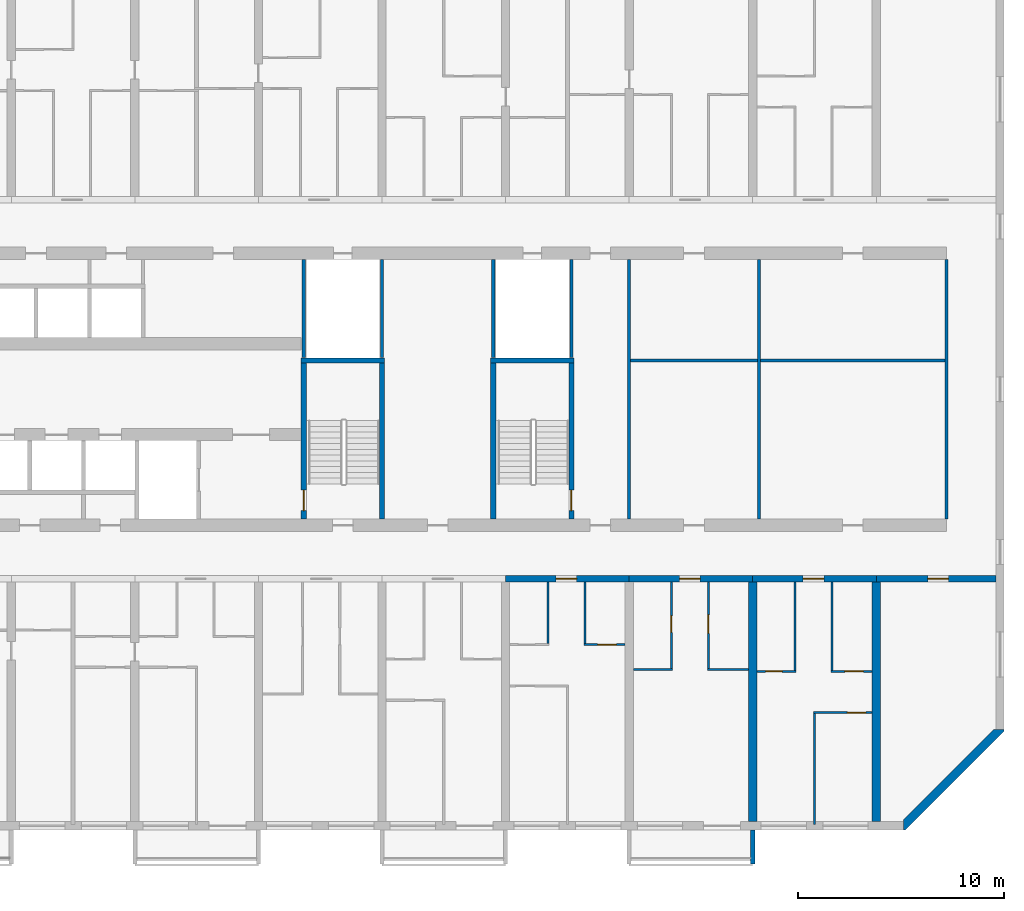
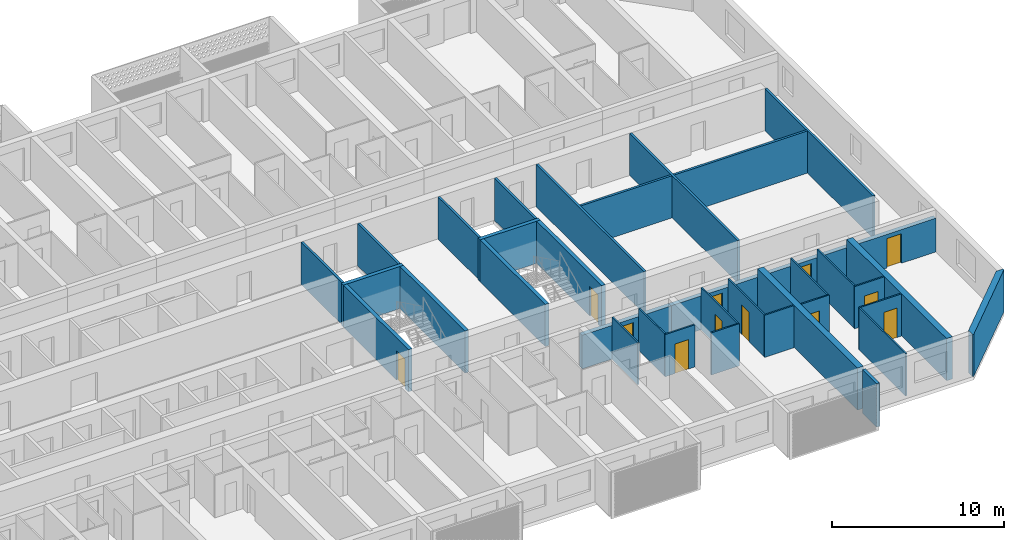
# One storey, part 15 of 38: 35 walls, 12 doors, 12 openings.
"""IFC4 building model written with IfcOpenShell, lengths in metres."""

from ifc_helpers import new_model, si_unit, direction, frame, frame_2d, origin, place, context, subcontext, project, spatial, polyline, rectangle, outline, extrude, source, transform, mapped, material, layer, layer_set, type_object, element, fill, save


model = new_model("IFC4")

# Units and contexts
model_context = context("Model", 3, precision=1e-05, world=origin(), true_north=direction((0.0, 1.0)))
body_context = subcontext(model_context, "Body", "Model", "MODEL_VIEW")
ifc_project = project(units=[si_unit("LENGTHUNIT", "METRE"), si_unit("AREAUNIT", "SQUARE_METRE"), si_unit("VOLUMEUNIT", "CUBIC_METRE"), si_unit("PLANEANGLEUNIT", "RADIAN"), si_unit("MASSUNIT", "GRAM", prefix="KILO")], contexts=[model_context])

# Site, building, storey
site_placement = place(None, origin())
site = spatial("IfcSite", under=ifc_project, at=site_placement, CompositionType="ELEMENT")
building_placement = place(site_placement, origin())
building = spatial("IfcBuilding", under=site, at=building_placement, Name="Poui Terraces", CompositionType="ELEMENT")
storey_placement = place(building_placement, frame((0.0, 0.0, 49.800048828125)))
storey = spatial("IfcBuildingStorey", under=building, at=storey_placement, Name="L13", CompositionType="ELEMENT", Elevation=49.800048828125)

# Walls
ifc_material_1 = material(Name="Fire-rated plasterboard wall")
ifc_layer_1 = layer(ifc_material_1, 0.14990234375)
ifc_layer_set_1 = layer_set([ifc_layer_1], Name="Fire-rated plasterboard wall")
wall_type_1 = type_object("IfcWallType", Name="CORRIDOR WALL 150", PredefinedType="PARTITIONING", material=ifc_layer_set_1)
for number, where, z_axis, x_axis, name in (
    (1, (84.0, 14.909912109375, 0.0), (0.0, 0.0, 1.0), (0.0, 1.0, 0.0), "CORRIDOR WALL 150"),
    (2, (99.39990234375, 14.909912109375, 0.0), (0.0, 0.0, 1.0), (0.0, 1.0, 0.0), "CORRIDOR WALL 150"),
):
    element("IfcWall", number, at=place(storey_placement, frame(where, z_axis=z_axis, x_axis=x_axis)), inside=storey, type_object=wall_type_1, Name=name, PredefinedType="PARTITIONING", context=body_context, shape_type="SweptSolid", body=[
        extrude(rectangle(XDim=12.580078125, YDim=0.14990234375, at=frame_2d((6.2900390625, 0.0))), origin(), (0.0, 0.0, 1.0), 3.0),
    ])

# Wall, opening, door
ifc_material_2 = material(Name="Concrete 80 MPa", Category="concrete")
ifc_layer_2 = layer(ifc_material_2, 0.300048828125)
ifc_layer_set_2 = layer_set([ifc_layer_2], Name="Concrete 80 MPa")
wall_type_2 = type_object("IfcWallType", Name="CORRIDOR WALL 300 80MPa", PredefinedType="SHEAR", material=ifc_layer_set_2)
wall_1_placement = place(storey_placement, frame((78.0, 12.0, 0.0), z_axis=(0.0, 0.0, 1.0), x_axis=(1.0, 0.0, 0.0)))
wall_1 = element("IfcWall", 3, at=wall_1_placement, inside=storey, type_object=wall_type_2, Name="CORRIDOR WALL LINE B BAY 14", PredefinedType="SHEAR", context=body_context, shape_type="SweptSolid", body=[
    extrude(rectangle(XDim=6.0, YDim=0.300048828125, at=frame_2d((3.0, 0.0))), origin(), (0.0, 0.0, 1.0), 2.39990234375),
])
opening_1_placement = place(wall_1_placement, frame((2.449951171875, 0.0, 0.0)))
opening_1 = element("IfcOpeningElement", 4, at=opening_1_placement, cuts=wall_1, Name="Opening FD30S", PredefinedType="OPENING", context=body_context, shape_type="SweptSolid", body=[
    extrude(rectangle(XDim=1.0, YDim=2.10009765625, at=frame_2d((0.5, 1.050048828125))), frame((0.0, 0.16015625, 0.0), z_axis=(0.0, -1.0, 0.0), x_axis=(1.0, 0.0, 0.0)), (0.0, 0.0, 1.0), 0.320068359375),
])
ifc_material_3 = material(Name="Steel fire door", Category="steel")
door_type_1 = type_object("IfcDoorType", Name="FLAT ENTRANCE DOOR 1000 X 2100", OperationType="NOTDEFINED", PredefinedType="DOOR", material=ifc_material_3)
door_1_placement = place(opening_1_placement, frame((1.0, 0.0, 0.0), z_axis=(0.0, 0.0, 1.0), x_axis=(-1.0, 0.0, 0.0)))
door_1 = element("IfcDoor", 5, at=door_1_placement, inside=storey, type_object=door_type_1, Name="FLAT ENTRANCE DOOR 138", OperationType="SINGLE_SWING_RIGHT", OverallHeight=2.10009765625, OverallWidth=1.0, PredefinedType="DOOR", context=body_context, shape_type="SweptSolid", body=[
    extrude(rectangle(XDim=1.0, YDim=2.10009765625, at=frame_2d((0.5, 1.050048828125))), frame((0.0, 0.02490234375, 0.0), z_axis=(0.0, -1.0, 0.0), x_axis=(1.0, 0.0, 0.0)), (0.0, 0.0, 1.0), 0.050048828125),
])
fill(opening_1, door_1)

wall_2_placement = place(storey_placement, frame((84.0, 12.0, 0.0), z_axis=(0.0, 0.0, 1.0), x_axis=(1.0, 0.0, 0.0)))
wall_2 = element("IfcWall", 6, at=wall_2_placement, inside=storey, type_object=wall_type_2, Name="CORRIDOR WALL LINE B BAY 15", PredefinedType="SHEAR", context=body_context, shape_type="SweptSolid", body=[
    extrude(rectangle(XDim=6.0, YDim=0.300048828125, at=frame_2d((3.0, 0.0))), origin(), (0.0, 0.0, 1.0), 2.39990234375),
])
opening_2_placement = place(wall_2_placement, frame((2.449951171875, 0.0, 0.0)))
opening_2 = element("IfcOpeningElement", 7, at=opening_2_placement, cuts=wall_2, Name="Opening FD30S", PredefinedType="OPENING", context=body_context, shape_type="SweptSolid", body=[
    extrude(rectangle(XDim=1.0, YDim=2.10009765625, at=frame_2d((0.5, 1.050048828125))), frame((0.0, 0.16015625, 0.0), z_axis=(0.0, -1.0, 0.0), x_axis=(1.0, 0.0, 0.0)), (0.0, 0.0, 1.0), 0.320068359375),
])
door_2_placement = place(opening_2_placement, frame((1.0, 0.0, 0.0), z_axis=(0.0, 0.0, 1.0), x_axis=(-1.0, 0.0, 0.0)))
door_2 = element("IfcDoor", 8, at=door_2_placement, inside=storey, type_object=door_type_1, Name="FLAT ENTRANCE DOOR 141", OperationType="SINGLE_SWING_RIGHT", OverallHeight=2.10009765625, OverallWidth=1.0, PredefinedType="DOOR", context=body_context, shape_type="SweptSolid", body=[
    extrude(rectangle(XDim=1.0, YDim=2.10009765625, at=frame_2d((0.5, 1.050048828125))), frame((0.0, 0.02490234375, 0.0), z_axis=(0.0, -1.0, 0.0), x_axis=(1.0, 0.0, 0.0)), (0.0, 0.0, 1.0), 0.050048828125),
])
fill(opening_2, door_2)

wall_3_placement = place(storey_placement, frame((90.0, 12.0, 0.0), z_axis=(0.0, 0.0, 1.0), x_axis=(1.0, 0.0, 0.0)))
wall_3 = element("IfcWall", 9, at=wall_3_placement, inside=storey, type_object=wall_type_2, Name="CORRIDOR WALL LINE B BAY 16", PredefinedType="SHEAR", context=body_context, shape_type="SweptSolid", body=[
    extrude(rectangle(XDim=6.0, YDim=0.300048828125, at=frame_2d((3.0, 0.0))), origin(), (0.0, 0.0, 1.0), 2.39990234375),
])
opening_3_placement = place(wall_3_placement, frame((2.449951171875, 0.0, 0.0)))
opening_3 = element("IfcOpeningElement", 10, at=opening_3_placement, cuts=wall_3, Name="Opening FD30S", PredefinedType="OPENING", context=body_context, shape_type="SweptSolid", body=[
    extrude(rectangle(XDim=1.0, YDim=2.10009765625, at=frame_2d((0.5, 1.050048828125))), frame((0.0, 0.16015625, 0.0), z_axis=(0.0, -1.0, 0.0), x_axis=(1.0, 0.0, 0.0)), (0.0, 0.0, 1.0), 0.320068359375),
])
door_3_placement = place(opening_3_placement, frame((1.0, 0.0, 0.0), z_axis=(0.0, 0.0, 1.0), x_axis=(-1.0, 0.0, 0.0)))
door_3 = element("IfcDoor", 11, at=door_3_placement, inside=storey, type_object=door_type_1, Name="FLAT ENTRANCE DOOR 144", OperationType="SINGLE_SWING_RIGHT", OverallHeight=2.10009765625, OverallWidth=1.0, PredefinedType="DOOR", context=body_context, shape_type="SweptSolid", body=[
    extrude(rectangle(XDim=1.0, YDim=2.10009765625, at=frame_2d((0.5, 1.050048828125))), frame((0.0, 0.02490234375, 0.0), z_axis=(0.0, -1.0, 0.0), x_axis=(1.0, 0.0, 0.0)), (0.0, 0.0, 1.0), 0.050048828125),
])
fill(opening_3, door_3)

wall_4_placement = place(storey_placement, frame((96.0, 12.0, 0.0), z_axis=(0.0, 0.0, 1.0), x_axis=(1.0, 0.0, 0.0)))
wall_4 = element("IfcWall", 12, at=wall_4_placement, inside=storey, type_object=wall_type_2, Name="CORRIDOR WALL LINE B BAY 17", PredefinedType="SHEAR", context=body_context, shape_type="SweptSolid", body=[
    extrude(rectangle(XDim=5.800048828125, YDim=0.300048828125, at=frame_2d((2.89990234375, 0.0))), origin(), (0.0, 0.0, 1.0), 2.39990234375),
])
opening_4_placement = place(wall_4_placement, frame((2.5, 0.0, 0.0)))
opening_4 = element("IfcOpeningElement", 13, at=opening_4_placement, cuts=wall_4, Name="Opening D100", PredefinedType="OPENING", context=body_context, shape_type="SweptSolid", body=[
    extrude(rectangle(XDim=1.0, YDim=2.10009765625, at=frame_2d((0.5, 1.050048828125))), frame((0.0, 0.16015625, 0.0), z_axis=(0.0, -1.0, 0.0), x_axis=(1.0, 0.0, 0.0)), (0.0, 0.0, 1.0), 0.320068359375),
])
ifc_material_4 = material(Name="Solid core timber door", Category="wood")
door_type_2 = type_object("IfcDoorType", Name="ACCESSIBLE INTERNAL DOOR 1000 X 2100", OperationType="NOTDEFINED", PredefinedType="DOOR", material=ifc_material_4)
door_4_placement = place(opening_4_placement, frame((1.0, 0.0, 0.0), z_axis=(0.0, 0.0, 1.0), x_axis=(-1.0, 0.0, 0.0)))
door_4 = element("IfcDoor", 14, at=door_4_placement, inside=storey, type_object=door_type_2, Name="ACCESSIBLE INTERNAL DOOR 147", OperationType="SINGLE_SWING_RIGHT", OverallHeight=2.10009765625, OverallWidth=1.0, PredefinedType="DOOR", context=body_context, shape_type="SweptSolid", body=[
    extrude(rectangle(XDim=1.0, YDim=2.10009765625, at=frame_2d((0.5, 1.050048828125))), frame((0.0, 0.02490234375, 0.0), z_axis=(0.0, -1.0, 0.0), x_axis=(1.0, 0.0, 0.0)), (0.0, 0.0, 1.0), 0.050048828125),
])
fill(opening_4, door_4)

# Walls
ifc_layer_3 = layer(ifc_material_2, 0.39990234375)
ifc_layer_set_3 = layer_set([ifc_layer_3], Name="Concrete 80 MPa")
wall_type_3 = type_object("IfcWallType", Name="CROSS WALL 400 80MPa", PredefinedType="SHEAR", material=ifc_layer_set_3)
for number, where, z_axis, x_axis, name in (
    (15, (90.0, 0.199951171875, 0.0), (0.0, 0.0, 1.0), (0.0, 1.0, 0.0), "CROSS WALL LINE 16 SOUTH"),
    (16, (96.0, 0.199951171875, 0.0), (0.0, 0.0, 1.0), (0.0, 1.0, 0.0), "CROSS WALL LINE 17 SOUTH"),
):
    element("IfcWall", number, at=place(storey_placement, frame(where, z_axis=z_axis, x_axis=x_axis)), inside=storey, type_object=wall_type_3, Name=name, PredefinedType="SHEAR", context=body_context, shape_type="SweptSolid", body=[
        extrude(rectangle(XDim=11.650146484375, YDim=0.39990234375, at=frame_2d((5.8251953125, 0.0))), origin(), (0.0, 0.0, 1.0), 3.0),
    ])

# Wall, opening, door
ifc_material_5 = material(Name="Plasterboard partition")
ifc_layer_4 = layer(ifc_material_5, 0.10009765625)
ifc_layer_set_4 = layer_set([ifc_layer_4], Name="Plasterboard partition")
wall_type_4 = type_object("IfcWallType", Name="FLAT PARTITION 100", PredefinedType="PARTITIONING", material=ifc_layer_set_4)
wall_5_placement = place(storey_placement, frame((92.949951171875, 5.5, 0.0), z_axis=(0.0, 0.0, 1.0), x_axis=(1.0, 0.0, 0.0)))
wall_5 = element("IfcWall", 17, at=wall_5_placement, inside=storey, type_object=wall_type_4, Name="FLAT PARTITION 100", PredefinedType="PARTITIONING", context=body_context, shape_type="SweptSolid", body=[
    extrude(rectangle(XDim=2.840087890625, YDim=0.10009765625, at=frame_2d((1.419921875, 0.0))), origin(), (0.0, 0.0, 1.0), 3.0),
])
opening_5_placement = place(wall_5_placement, frame((1.64990234375, 0.0, 0.0)))
opening_5 = element("IfcOpeningElement", 18, at=opening_5_placement, cuts=wall_5, Name="Opening D90", PredefinedType="OPENING", context=body_context, shape_type="SweptSolid", body=[
    extrude(rectangle(XDim=0.89990234375, YDim=2.10009765625, at=frame_2d((0.449951171875, 1.050048828125))), frame((0.0, 0.06005859375, 0.0), z_axis=(0.0, -1.0, 0.0), x_axis=(1.0, 0.0, 0.0)), (0.0, 0.0, 1.0), 0.1201171875),
])
door_type_3 = type_object("IfcDoorType", Name="INTERNAL DOOR 900 X 2100", OperationType="NOTDEFINED", PredefinedType="DOOR", material=ifc_material_4)
door_5_placement = place(opening_5_placement, frame((0.89990234375, 0.0, 0.0), z_axis=(0.0, 0.0, 1.0), x_axis=(-1.0, 0.0, 0.0)))
door_5 = element("IfcDoor", 19, at=door_5_placement, inside=storey, type_object=door_type_3, Name="INTERNAL DOOR 146", OperationType="SINGLE_SWING_LEFT", OverallHeight=2.10009765625, OverallWidth=0.89990234375, PredefinedType="DOOR", context=body_context, shape_type="SweptSolid", body=[
    extrude(rectangle(XDim=0.89990234375, YDim=2.10009765625, at=frame_2d((0.449951171875, 1.050048828125))), frame((0.0, 0.02490234375, 0.0), z_axis=(0.0, -1.0, 0.0), x_axis=(1.0, 0.0, 0.0)), (0.0, 0.0, 1.0), 0.050048828125),
])
fill(opening_5, door_5)

wall_6_placement = place(storey_placement, frame((90.2099609375, 7.5, 0.0), z_axis=(0.0, 0.0, 1.0), x_axis=(1.0, 0.0, 0.0)))
wall_6 = element("IfcWall", 20, at=wall_6_placement, inside=storey, type_object=wall_type_4, Name="FLAT PARTITION 100", PredefinedType="PARTITIONING", context=body_context, shape_type="SweptSolid", body=[
    extrude(rectangle(XDim=1.89013671875, YDim=0.10009765625, at=frame_2d((0.945068359375, 0.0))), origin(), (0.0, 0.0, 1.0), 3.0),
])
opening_6_placement = place(wall_6_placement, frame((0.4150390625, 0.0, 0.0)))
opening_6 = element("IfcOpeningElement", 21, at=opening_6_placement, cuts=wall_6, Name="Opening D80", PredefinedType="OPENING", context=body_context, shape_type="SweptSolid", body=[
    extrude(rectangle(XDim=0.800048828125, YDim=2.10009765625, at=frame_2d((0.39990234375, 1.050048828125))), frame((0.0, 0.06005859375, 0.0), z_axis=(0.0, -1.0, 0.0), x_axis=(1.0, 0.0, 0.0)), (0.0, 0.0, 1.0), 0.1201171875),
])
door_type_4 = type_object("IfcDoorType", Name="BATHROOM, LAUNDRY AND STORE DOOR 800 X 2100", OperationType="NOTDEFINED", PredefinedType="DOOR", material=ifc_material_4)
door_6_placement = place(opening_6_placement, origin())
door_6 = element("IfcDoor", 22, at=door_6_placement, inside=storey, type_object=door_type_4, Name="BATHROOM, LAUNDRY AND STORE DOOR 143", OperationType="SINGLE_SWING_LEFT", OverallHeight=2.10009765625, OverallWidth=0.800048828125, PredefinedType="DOOR", context=body_context, shape_type="SweptSolid", body=[
    extrude(rectangle(XDim=0.800048828125, YDim=2.10009765625, at=frame_2d((0.39990234375, 1.050048828125))), frame((0.0, 0.02490234375, 0.0), z_axis=(0.0, -1.0, 0.0), x_axis=(1.0, 0.0, 0.0)), (0.0, 0.0, 1.0), 0.050048828125),
])
fill(opening_6, door_6)

wall_7_placement = place(storey_placement, frame((93.800048828125, 7.5, 0.0), z_axis=(0.0, 0.0, 1.0), x_axis=(1.0, 0.0, 0.0)))
wall_7 = element("IfcWall", 23, at=wall_7_placement, inside=storey, type_object=wall_type_4, Name="FLAT PARTITION 100", PredefinedType="PARTITIONING", context=body_context, shape_type="SweptSolid", body=[
    extrude(rectangle(XDim=1.989990234375, YDim=0.10009765625, at=frame_2d((0.9951171875, 0.0))), origin(), (0.0, 0.0, 1.0), 3.0),
])
opening_7_placement = place(wall_7_placement, frame((0.675048828125, 0.0, 0.0)))
opening_7 = element("IfcOpeningElement", 24, at=opening_7_placement, cuts=wall_7, Name="Opening D90", PredefinedType="OPENING", context=body_context, shape_type="SweptSolid", body=[
    extrude(rectangle(XDim=0.89990234375, YDim=2.10009765625, at=frame_2d((0.449951171875, 1.050048828125))), frame((0.0, 0.06005859375, 0.0), z_axis=(0.0, -1.0, 0.0), x_axis=(1.0, 0.0, 0.0)), (0.0, 0.0, 1.0), 0.1201171875),
])
door_7_placement = place(opening_7_placement, origin())
door_7 = element("IfcDoor", 25, at=door_7_placement, inside=storey, type_object=door_type_3, Name="INTERNAL DOOR 145", OperationType="SINGLE_SWING_RIGHT", OverallHeight=2.10009765625, OverallWidth=0.89990234375, PredefinedType="DOOR", context=body_context, shape_type="SweptSolid", body=[
    extrude(rectangle(XDim=0.89990234375, YDim=2.10009765625, at=frame_2d((0.449951171875, 1.050048828125))), frame((0.0, 0.02490234375, 0.0), z_axis=(0.0, -1.0, 0.0), x_axis=(1.0, 0.0, 0.0)), (0.0, 0.0, 1.0), 0.050048828125),
])
fill(opening_7, door_7)

# Walls
wall_8_placement = place(storey_placement, frame((84.2099609375, 7.60009765625, 0.0), z_axis=(0.0, 0.0, 1.0), x_axis=(1.0, 0.0, 0.0)))
element("IfcWall", 26, at=wall_8_placement, inside=storey, type_object=wall_type_4, Name="FLAT PARTITION 100", PredefinedType="PARTITIONING", context=body_context, shape_type="SweptSolid", body=[
    extrude(rectangle(XDim=1.89013671875, YDim=0.10009765625, at=frame_2d((0.945068359375, 0.0))), origin(), (0.0, 0.0, 1.0), 3.0),
])
wall_9_placement = place(storey_placement, frame((87.800048828125, 7.60009765625, 0.0), z_axis=(0.0, 0.0, 1.0), x_axis=(1.0, 0.0, 0.0)))
element("IfcWall", 27, at=wall_9_placement, inside=storey, type_object=wall_type_4, Name="FLAT PARTITION 100", PredefinedType="PARTITIONING", context=body_context, shape_type="SweptSolid", body=[
    extrude(rectangle(XDim=1.989990234375, YDim=0.10009765625, at=frame_2d((0.9951171875, 0.0))), origin(), (0.0, 0.0, 1.0), 3.0),
])

# Wall, opening, door
wall_10_placement = place(storey_placement, frame((81.800048828125, 8.800048828125, 0.0), z_axis=(0.0, 0.0, 1.0), x_axis=(1.0, 0.0, 0.0)))
wall_10 = element("IfcWall", 28, at=wall_10_placement, inside=storey, type_object=wall_type_4, Name="FLAT PARTITION 100", PredefinedType="PARTITIONING", context=body_context, shape_type="SweptSolid", body=[
    extrude(rectangle(XDim=1.989990234375, YDim=0.10009765625, at=frame_2d((0.9951171875, 0.0))), origin(), (0.0, 0.0, 1.0), 3.0),
])
opening_8_placement = place(wall_10_placement, frame((0.675048828125, 0.0, 0.0)))
opening_8 = element("IfcOpeningElement", 29, at=opening_8_placement, cuts=wall_10, Name="Opening D90", PredefinedType="OPENING", context=body_context, shape_type="SweptSolid", body=[
    extrude(rectangle(XDim=0.89990234375, YDim=2.10009765625, at=frame_2d((0.449951171875, 1.050048828125))), frame((0.0, 0.06005859375, 0.0), z_axis=(0.0, -1.0, 0.0), x_axis=(1.0, 0.0, 0.0)), (0.0, 0.0, 1.0), 0.1201171875),
])
door_8_placement = place(opening_8_placement, origin())
door_8 = element("IfcDoor", 30, at=door_8_placement, inside=storey, type_object=door_type_3, Name="INTERNAL DOOR 139", OperationType="SINGLE_SWING_RIGHT", OverallHeight=2.10009765625, OverallWidth=0.89990234375, PredefinedType="DOOR", context=body_context, shape_type="SweptSolid", body=[
    extrude(rectangle(XDim=0.89990234375, YDim=2.10009765625, at=frame_2d((0.449951171875, 1.050048828125))), frame((0.0, 0.02490234375, 0.0), z_axis=(0.0, -1.0, 0.0), x_axis=(1.0, 0.0, 0.0)), (0.0, 0.0, 1.0), 0.050048828125),
])
fill(opening_8, door_8)

# Walls
for number, where, z_axis, x_axis, name in (
    (31, (80.050048828125, 8.85009765625, 0.0), (0.0, 0.0, 1.0), (0.0, 1.0, 0.0), "FLAT PARTITION 100"),
    (32, (81.85009765625, 8.85009765625, 0.0), (0.0, 0.0, 1.0), (0.0, 1.0, 0.0), "FLAT PARTITION 100"),
):
    element("IfcWall", number, at=place(storey_placement, frame(where, z_axis=z_axis, x_axis=x_axis)), inside=storey, type_object=wall_type_4, Name=name, PredefinedType="PARTITIONING", context=body_context, shape_type="SweptSolid", body=[
        extrude(rectangle(XDim=2.989990234375, YDim=0.10009765625, at=frame_2d((1.4951171875, 0.0))), origin(), (0.0, 0.0, 1.0), 3.0),
    ])

# Wall, opening, door
wall_11_placement = place(storey_placement, frame((86.050048828125, 7.64990234375, 0.0), z_axis=(0.0, 0.0, 1.0), x_axis=(0.0, 1.0, 0.0)))
wall_11 = element("IfcWall", 33, at=wall_11_placement, inside=storey, type_object=wall_type_4, Name="FLAT PARTITION 100", PredefinedType="PARTITIONING", context=body_context, shape_type="SweptSolid", body=[
    extrude(rectangle(XDim=4.190185546875, YDim=0.10009765625, at=frame_2d((2.09521484375, 0.0))), origin(), (0.0, 0.0, 1.0), 3.0),
])
opening_9_placement = place(wall_11_placement, frame((1.75, 0.0, 0.0)))
opening_9 = element("IfcOpeningElement", 34, at=opening_9_placement, cuts=wall_11, Name="Opening D80", PredefinedType="OPENING", context=body_context, shape_type="SweptSolid", body=[
    extrude(rectangle(XDim=0.800048828125, YDim=2.10009765625, at=frame_2d((0.39990234375, 1.050048828125))), frame((0.0, 0.06005859375, 0.0), z_axis=(0.0, -1.0, 0.0), x_axis=(1.0, 0.0, 0.0)), (0.0, 0.0, 1.0), 0.1201171875),
])
door_9_placement = place(opening_9_placement, origin())
door_9 = element("IfcDoor", 35, at=door_9_placement, inside=storey, type_object=door_type_4, Name="BATHROOM, LAUNDRY AND STORE DOOR 140", OperationType="SINGLE_SWING_LEFT", OverallHeight=2.10009765625, OverallWidth=0.800048828125, PredefinedType="DOOR", context=body_context, shape_type="SweptSolid", body=[
    extrude(rectangle(XDim=0.800048828125, YDim=2.10009765625, at=frame_2d((0.39990234375, 1.050048828125))), frame((0.0, 0.02490234375, 0.0), z_axis=(0.0, -1.0, 0.0), x_axis=(1.0, 0.0, 0.0)), (0.0, 0.0, 1.0), 0.050048828125),
])
fill(opening_9, door_9)

wall_12_placement = place(storey_placement, frame((87.85009765625, 7.64990234375, 0.0), z_axis=(0.0, 0.0, 1.0), x_axis=(0.0, 1.0, 0.0)))
wall_12 = element("IfcWall", 36, at=wall_12_placement, inside=storey, type_object=wall_type_4, Name="FLAT PARTITION 100", PredefinedType="PARTITIONING", context=body_context, shape_type="SweptSolid", body=[
    extrude(rectangle(XDim=4.190185546875, YDim=0.10009765625, at=frame_2d((2.09521484375, 0.0))), origin(), (0.0, 0.0, 1.0), 3.0),
])
opening_10_placement = place(wall_12_placement, frame((1.699951171875, 0.0, 0.0)))
opening_10 = element("IfcOpeningElement", 37, at=opening_10_placement, cuts=wall_12, Name="Opening D90", PredefinedType="OPENING", context=body_context, shape_type="SweptSolid", body=[
    extrude(rectangle(XDim=0.89990234375, YDim=2.10009765625, at=frame_2d((0.449951171875, 1.050048828125))), frame((0.0, 0.06005859375, 0.0), z_axis=(0.0, -1.0, 0.0), x_axis=(1.0, 0.0, 0.0)), (0.0, 0.0, 1.0), 0.1201171875),
])
door_10_placement = place(opening_10_placement, frame((0.89990234375, 0.0, 0.0), z_axis=(0.0, 0.0, 1.0), x_axis=(-1.0, 0.0, 0.0)))
door_10 = element("IfcDoor", 38, at=door_10_placement, inside=storey, type_object=door_type_3, Name="INTERNAL DOOR 142", OperationType="SINGLE_SWING_LEFT", OverallHeight=2.10009765625, OverallWidth=0.89990234375, PredefinedType="DOOR", context=body_context, shape_type="SweptSolid", body=[
    extrude(rectangle(XDim=0.89990234375, YDim=2.10009765625, at=frame_2d((0.449951171875, 1.050048828125))), frame((0.0, 0.02490234375, 0.0), z_axis=(0.0, -1.0, 0.0), x_axis=(1.0, 0.0, 0.0)), (0.0, 0.0, 1.0), 0.050048828125),
])
fill(opening_10, door_10)

# Walls
wall_13_placement = place(storey_placement, frame((92.050048828125, 7.550048828125, 0.0), z_axis=(0.0, 0.0, 1.0), x_axis=(0.0, 1.0, 0.0)))
element("IfcWall", 39, at=wall_13_placement, inside=storey, type_object=wall_type_4, Name="FLAT PARTITION 100", PredefinedType="PARTITIONING", context=body_context, shape_type="SweptSolid", body=[
    extrude(rectangle(XDim=4.2900390625, YDim=0.10009765625, at=frame_2d((2.14501953125, 0.0))), origin(), (0.0, 0.0, 1.0), 3.0),
])
wall_14_placement = place(storey_placement, frame((93.0, 0.06005859375, 0.0), z_axis=(0.0, 0.0, 1.0), x_axis=(0.0, 1.0, 0.0)))
element("IfcWall", 40, at=wall_14_placement, inside=storey, type_object=wall_type_4, Name="FLAT PARTITION 100", PredefinedType="PARTITIONING", context=body_context, shape_type="SweptSolid", body=[
    extrude(rectangle(XDim=5.389892578125, YDim=0.10009765625, at=frame_2d((2.69482421875, 0.0))), origin(), (0.0, 0.0, 1.0), 3.0),
])
wall_15_placement = place(storey_placement, frame((93.85009765625, 7.550048828125, 0.0), z_axis=(0.0, 0.0, 1.0), x_axis=(0.0, 1.0, 0.0)))
element("IfcWall", 41, at=wall_15_placement, inside=storey, type_object=wall_type_4, Name="FLAT PARTITION 100", PredefinedType="PARTITIONING", context=body_context, shape_type="SweptSolid", body=[
    extrude(rectangle(XDim=4.2900390625, YDim=0.10009765625, at=frame_2d((2.14501953125, 0.0))), origin(), (0.0, 0.0, 1.0), 3.0),
])
ifc_layer_5 = layer(ifc_material_5, 0.14990234375)
ifc_layer_set_5 = layer_set([ifc_layer_5], Name="Plasterboard partition")
wall_type_5 = type_object("IfcWallType", Name="PARTITION WALL 150", PredefinedType="PARTITIONING", material=ifc_layer_set_5)
wall_16_placement = place(storey_placement, frame((84.074951171875, 22.60009765625, 0.0), z_axis=(0.0, 0.0, 1.0), x_axis=(1.0, 0.0, 0.0)))
element("IfcWall", 42, at=wall_16_placement, inside=storey, type_object=wall_type_5, Name="PARTITION WALL 150", PredefinedType="PARTITIONING", context=body_context, shape_type="SweptSolid", body=[
    extrude(rectangle(XDim=15.25, YDim=0.14990234375, at=frame_2d((7.625, 0.0))), origin(), (0.0, 0.0, 1.0), 3.0),
])
wall_17_placement = place(storey_placement, frame((90.300048828125, 14.909912109375, 0.0), z_axis=(0.0, 0.0, 1.0), x_axis=(0.0, 1.0, 0.0)))
element("IfcWall", 43, at=wall_17_placement, inside=storey, type_object=wall_type_5, Name="PARTITION WALL 150", PredefinedType="PARTITIONING", context=body_context, shape_type="SweptSolid", body=[
    extrude(rectangle(XDim=12.580078125, YDim=0.14990234375, at=frame_2d((6.2900390625, 0.0))), origin(), (0.0, 0.0, 1.0), 3.0),
])
ifc_material_6 = material(Name="Fire-rated plasterboard riser wall")
ifc_layer_6 = layer(ifc_material_6, 0.14990234375)
ifc_layer_set_6 = layer_set([ifc_layer_6], Name="Fire-rated plasterboard riser wall")
wall_type_6 = type_object("IfcWallType", Name="RISER WALL 150", PredefinedType="PARTITIONING", material=ifc_layer_set_6)
for number, where, z_axis, x_axis, name in (
    (44, (68.199951171875, 22.735107421875, 0.0), (0.0, 0.0, 1.0), (0.0, 1.0, 0.0), "RISER WALL 150"),
    (45, (72.0, 22.735107421875, 0.0), (0.0, 0.0, 1.0), (0.0, 1.0, 0.0), "RISER WALL 150"),
    (46, (77.39990234375, 22.735107421875, 0.0), (0.0, 0.0, 1.0), (0.0, 1.0, 0.0), "RISER WALL 150"),
    (47, (81.199951171875, 22.735107421875, 0.0), (0.0, 0.0, 1.0), (0.0, 1.0, 0.0), "RISER WALL 150"),
):
    element("IfcWall", number, at=place(storey_placement, frame(where, z_axis=z_axis, x_axis=x_axis)), inside=storey, type_object=wall_type_6, Name=name, PredefinedType="PARTITIONING", context=body_context, shape_type="SweptSolid", body=[
        extrude(rectangle(XDim=4.7548828125, YDim=0.14990234375, at=frame_2d((2.37744140625, 0.0))), origin(), (0.0, 0.0, 1.0), 3.0),
    ])

# Wall, opening, door
ifc_layer_7 = layer(ifc_material_2, 0.25)
ifc_layer_set_7 = layer_set([ifc_layer_7], Name="Concrete 80 MPa")
wall_type_7 = type_object("IfcWallType", Name="STAIR CORE WALL 250 80 MPA", PredefinedType="SOLIDWALL", material=ifc_layer_set_7)
wall_18_placement = place(storey_placement, frame((68.199951171875, 14.89990234375, 0.0), z_axis=(0.0, 0.0, 1.0), x_axis=(0.0, 1.0, 0.0)))
wall_18 = element("IfcWall", 48, at=wall_18_placement, inside=storey, type_object=wall_type_7, Name="STAIR CORE WALL", PredefinedType="SOLIDWALL", context=body_context, shape_type="SweptSolid", body=[
    extrude(rectangle(XDim=7.5751953125, YDim=0.25, at=frame_2d((3.78759765625, 0.0))), origin(), (0.0, 0.0, 1.0), 3.0),
])
opening_11_placement = place(wall_18_placement, frame((0.39990234375, 0.0, 0.0)))
opening_11 = element("IfcOpeningElement", 49, at=opening_11_placement, cuts=wall_18, Name="Opening FD60S", PredefinedType="OPENING", context=body_context, shape_type="SweptSolid", body=[
    extrude(rectangle(XDim=1.0, YDim=2.10009765625, at=frame_2d((0.5, 1.050048828125))), frame((0.0, 0.135009765625, 0.0), z_axis=(0.0, -1.0, 0.0), x_axis=(1.0, 0.0, 0.0)), (0.0, 0.0, 1.0), 0.27001953125),
])
door_type_5 = type_object("IfcDoorType", Name="STAIR DOOR 1000 X 2100", OperationType="NOTDEFINED", PredefinedType="DOOR", material=ifc_material_3)
door_11_placement = place(opening_11_placement, frame((1.0, 0.0, 0.0), z_axis=(0.0, 0.0, 1.0), x_axis=(-1.0, 0.0, 0.0)))
door_11 = element("IfcDoor", 50, at=door_11_placement, inside=storey, type_object=door_type_5, Name="STAIR DOOR 149", OperationType="SINGLE_SWING_LEFT", OverallHeight=2.10009765625, OverallWidth=1.0, PredefinedType="DOOR", context=body_context, shape_type="SweptSolid", body=[
    extrude(rectangle(XDim=1.0, YDim=2.10009765625, at=frame_2d((0.5, 1.050048828125))), frame((0.0, 0.02490234375, 0.0), z_axis=(0.0, -1.0, 0.0), x_axis=(1.0, 0.0, 0.0)), (0.0, 0.0, 1.0), 0.050048828125),
])
fill(opening_11, door_11)

# Walls
wall_19_placement = place(storey_placement, frame((72.0, 14.89990234375, 0.0), z_axis=(0.0, 0.0, 1.0), x_axis=(0.0, 1.0, 0.0)))
element("IfcWall", 51, at=wall_19_placement, inside=storey, type_object=wall_type_7, Name="STAIR CORE WALL", PredefinedType="SOLIDWALL", context=body_context, shape_type="SweptSolid", body=[
    extrude(rectangle(XDim=7.5751953125, YDim=0.25, at=frame_2d((3.78759765625, 0.0))), origin(), (0.0, 0.0, 1.0), 3.0),
])
wall_20_placement = place(storey_placement, frame((68.074951171875, 22.60009765625, 0.0), z_axis=(0.0, 0.0, 1.0), x_axis=(1.0, 0.0, 0.0)))
element("IfcWall", 52, at=wall_20_placement, inside=storey, type_object=wall_type_7, Name="STAIR CORE WALL", PredefinedType="SOLIDWALL", context=body_context, shape_type="SweptSolid", body=[
    extrude(rectangle(XDim=4.050048828125, YDim=0.25, at=frame_2d((2.02490234375, 0.0))), origin(), (0.0, 0.0, 1.0), 3.0),
])
wall_21_placement = place(storey_placement, frame((77.39990234375, 14.89990234375, 0.0), z_axis=(0.0, 0.0, 1.0), x_axis=(0.0, 1.0, 0.0)))
element("IfcWall", 53, at=wall_21_placement, inside=storey, type_object=wall_type_7, Name="STAIR CORE WALL", PredefinedType="SOLIDWALL", context=body_context, shape_type="SweptSolid", body=[
    extrude(rectangle(XDim=7.5751953125, YDim=0.25, at=frame_2d((3.78759765625, 0.0))), origin(), (0.0, 0.0, 1.0), 3.0),
])

# Wall, opening, door
wall_22_placement = place(storey_placement, frame((81.199951171875, 14.89990234375, 0.0), z_axis=(0.0, 0.0, 1.0), x_axis=(0.0, 1.0, 0.0)))
wall_22 = element("IfcWall", 54, at=wall_22_placement, inside=storey, type_object=wall_type_7, Name="STAIR CORE WALL", PredefinedType="SOLIDWALL", context=body_context, shape_type="SweptSolid", body=[
    extrude(rectangle(XDim=7.5751953125, YDim=0.25, at=frame_2d((3.78759765625, 0.0))), origin(), (0.0, 0.0, 1.0), 3.0),
])
opening_12_placement = place(wall_22_placement, frame((0.39990234375, 0.0, 0.0)))
opening_12 = element("IfcOpeningElement", 55, at=opening_12_placement, cuts=wall_22, Name="Opening FD60S", PredefinedType="OPENING", context=body_context, shape_type="SweptSolid", body=[
    extrude(rectangle(XDim=1.0, YDim=2.10009765625, at=frame_2d((0.5, 1.050048828125))), frame((0.0, 0.135009765625, 0.0), z_axis=(0.0, -1.0, 0.0), x_axis=(1.0, 0.0, 0.0)), (0.0, 0.0, 1.0), 0.27001953125),
])
door_12_placement = place(opening_12_placement, origin())
door_12 = element("IfcDoor", 56, at=door_12_placement, inside=storey, type_object=door_type_5, Name="STAIR DOOR 163", OperationType="SINGLE_SWING_LEFT", OverallHeight=2.10009765625, OverallWidth=1.0, PredefinedType="DOOR", context=body_context, shape_type="SweptSolid", body=[
    extrude(rectangle(XDim=1.0, YDim=2.10009765625, at=frame_2d((0.5, 1.050048828125))), frame((0.0, 0.02490234375, 0.0), z_axis=(0.0, -1.0, 0.0), x_axis=(1.0, 0.0, 0.0)), (0.0, 0.0, 1.0), 0.050048828125),
])
fill(opening_12, door_12)

# Walls
wall_23_placement = place(storey_placement, frame((77.27490234375, 22.60009765625, 0.0), z_axis=(0.0, 0.0, 1.0), x_axis=(1.0, 0.0, 0.0)))
element("IfcWall", 57, at=wall_23_placement, inside=storey, type_object=wall_type_7, Name="STAIR CORE WALL", PredefinedType="SOLIDWALL", context=body_context, shape_type="SweptSolid", body=[
    extrude(rectangle(XDim=4.050048828125, YDim=0.25, at=frame_2d((2.02490234375, 0.0))), origin(), (0.0, 0.0, 1.0), 3.0),
])
ifc_material_7 = material(Name="Precast concrete 40 MPa", Category="concrete")
ifc_layer_8 = layer(ifc_material_7, 0.39990234375)
ifc_layer_set_8 = layer_set([ifc_layer_8], Name="Precast concrete 40 MPa")
wall_type_8 = type_object("IfcWallType", Name="TERRACOTTA CLAD CHAMFER WALL 400", PredefinedType="STANDARD", material=ifc_layer_set_8)
wall_24_placement = place(storey_placement, origin())
element("IfcWall", 58, at=wall_24_placement, inside=storey, type_object=wall_type_8, Name="CHAMFER WALL CH01", PredefinedType="STANDARD", context=body_context, shape_type="SweptSolid", body=[
    extrude(outline(polyline([(97.317138671875, -0.199951171875), (97.39990234375, -0.199951171875), (102.199951171875, 4.60009765625), (102.199951171875, 4.682861328125), (101.71728515625, 4.682861328125), (97.317138671875, 0.28271484375), (97.317138671875, -0.199951171875)])), origin(), (0.0, 0.0, 1.0), 3.0),
])
ifc_layer_9 = layer(ifc_material_7, 0.199951171875)
ifc_layer_set_9 = layer_set([ifc_layer_9], Name="Precast concrete 40 MPa")
wall_type_9 = type_object("IfcWallType", Name="REAR FIN 200", PredefinedType="STANDARD", material=ifc_layer_set_9)
shared_shape = source(origin(), body_context, "Body", "SweptSolid", [
    extrude(outline(polyline([(0.0, 0.0), (0.2001953125, 0.0), (0.2001953125, 1.650146484375), (0.0, 1.650146484375), (0.0, 0.0)])), origin(), (0.0, 0.0, 1.0), 3.099853515625),
])
wall_25_placement = place(storey_placement, frame((89.89990234375, -1.85009765625, 0.0)))
element("IfcWall", 59, at=wall_25_placement, inside=storey, type_object=wall_type_9, Name="REAR FIN", PredefinedType="STANDARD", context=body_context, shape_type="MappedRepresentation", body=[
    mapped(shared_shape, transform((0.0, 0.0, 0.0))),
])

save(model, "model.ifc")
